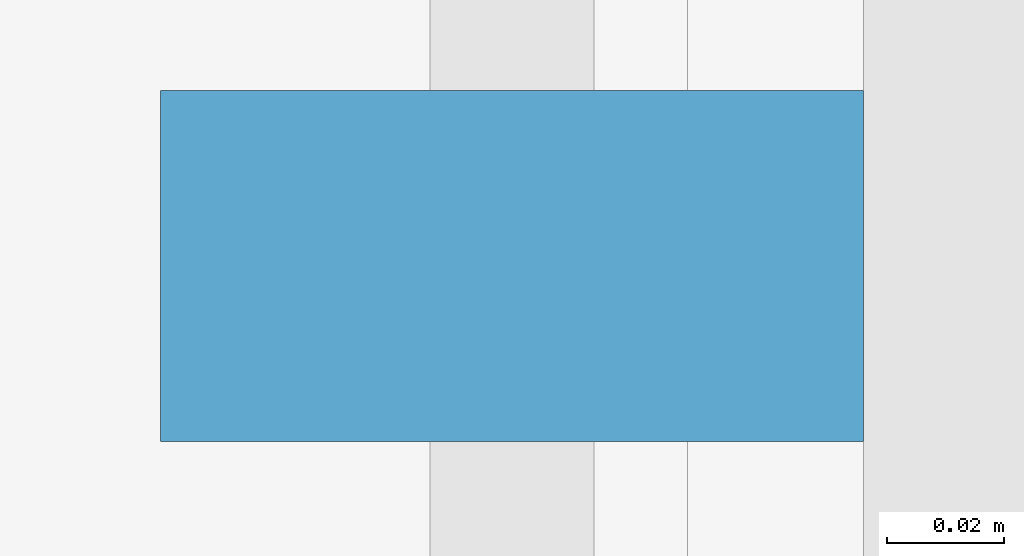
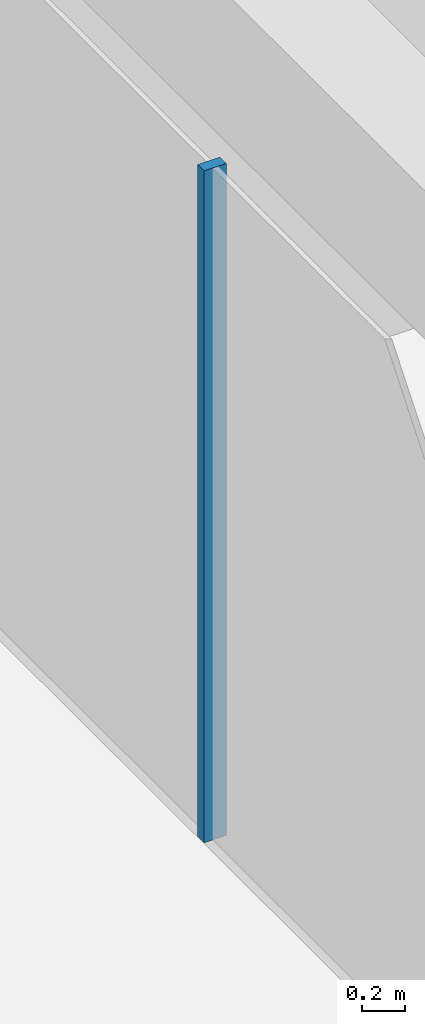
# One storey, part 9 of 19: 1 member, 1 element without a shape of its own.
"""IFC4 building model written with IfcOpenShell, lengths in metres."""

from ifc_helpers import new_model, si_unit, direction, frame, origin, origin_2d, place, context, subcontext, project, spatial, rectangle, extrude, material, layer, layer_set, material_profile, profile_set, type_object, element, aggregate, save


model = new_model("IFC4")

# Units and contexts
model_context = context("Model", 3, precision=1e-05, world=origin(), true_north=direction((0.0, 1.0)))
body_context = subcontext(model_context, "Body", "Model", "MODEL_VIEW")
ifc_project = project(units=[si_unit("LENGTHUNIT", "METRE"), si_unit("AREAUNIT", "SQUARE_METRE"), si_unit("VOLUMEUNIT", "CUBIC_METRE"), si_unit("PLANEANGLEUNIT", "RADIAN"), si_unit("MASSUNIT", "GRAM", prefix="KILO")], contexts=[model_context])

# Site, building, storey
site_placement = place(None, origin())
site = spatial("IfcSite", under=ifc_project, at=site_placement, CompositionType="ELEMENT")
building_placement = place(site_placement, origin())
building = spatial("IfcBuilding", under=site, at=building_placement, Name="Welwitschia Terrace Campus", CompositionType="ELEMENT")
storey_placement = place(building_placement, frame((0.0, 0.0, 234.800048828125)))
storey = spatial("IfcBuildingStorey", under=building, at=storey_placement, Name="L52", CompositionType="ELEMENT", Elevation=234.800048828125)

# Curtain wall, member
ifc_material_1 = material(Name="Bronze anodised aluminium", Category="aluminium")
ifc_layer = layer(ifc_material_1, 0.1201171875)
ifc_layer_set = layer_set([ifc_layer], Name="Bronze anodised aluminium")
curtain_wall_type = type_object("IfcCurtainWallType", Name="Curtain wall CW2 tower 6000", PredefinedType="NOTDEFINED", material=ifc_layer_set)
curtain_wall_placement = place(storey_placement, origin())
curtain_wall = element("IfcCurtainWall", 1, at=curtain_wall_placement, inside=storey, type_object=curtain_wall_type, Name="CW L52.0.0", PredefinedType="NOTDEFINED")
ifc_material_2 = material(Name="Bronze anodised aluminium", Category="aluminium")
ifc_material_profile = material_profile(ifc_material_2, rectangle(XDim=0.1201171875, YDim=0.06005859375, at=origin_2d()))
ifc_profile_set = profile_set([ifc_material_profile], Name="Bronze anodised aluminium")
member_type = type_object("IfcMemberType", Name="Mullion 60x120", PredefinedType="MULLION", material=ifc_profile_set)
member_placement = place(storey_placement, frame((-1.030029296875, 53.80224609375, 0.0), z_axis=(0.0, 0.0, 1.0), x_axis=(1.0, 0.0, 0.0)))
member = element("IfcMember", 2, at=member_placement, type_object=member_type, Name="Mullion L52.0.0.3", PredefinedType="MULLION", context=body_context, shape_type="SweptSolid", body=[
    extrude(rectangle(XDim=0.1201171875, YDim=0.06005859375, at=origin_2d()), origin(), (0.0, 0.0, 1.0), 3.849853515625),
])
aggregate(curtain_wall, [member])

save(model, "model.ifc")
